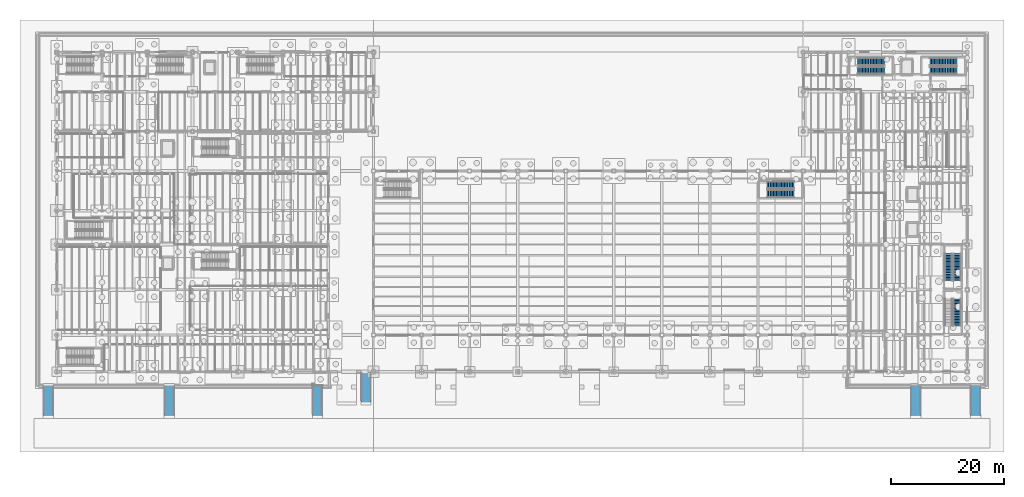
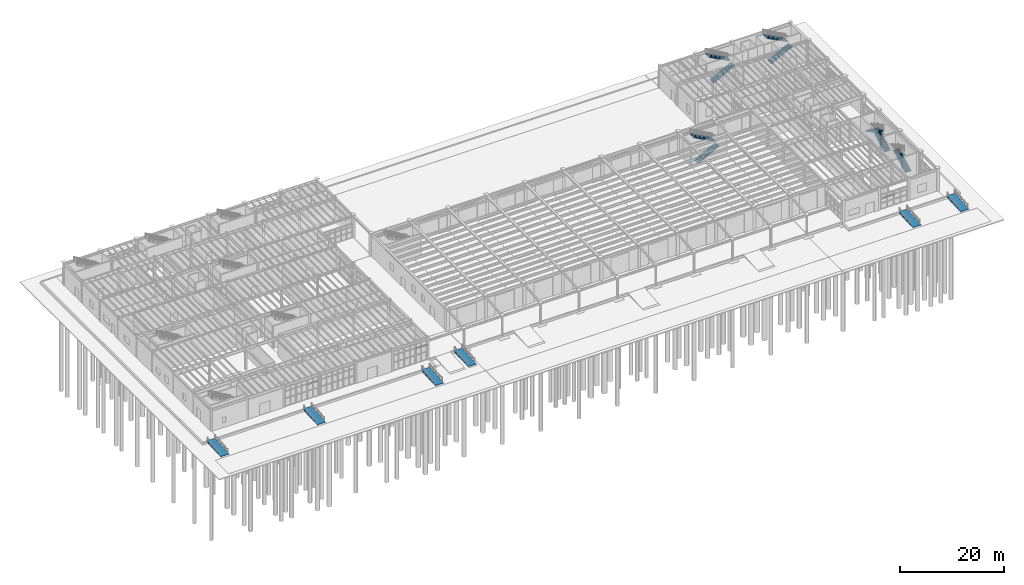
# One storey, part 73 of 86: 9 stair flights, 6 ramp flights, 11 elements without a shape of their own.
"""IFC4 building model written with IfcOpenShell, lengths in metres."""

from ifc_helpers import new_model, si_unit, direction, frame, origin, place, context, subcontext, project, spatial, polyline, outline, extrude, material, layer, layer_set, type_object, element, aggregate, save


model = new_model("IFC4")

# Units and contexts
model_context = context("Model", 3, precision=1e-05, world=origin(), true_north=direction((0.0, 1.0)))
body_context = subcontext(model_context, "Body", "Model", "MODEL_VIEW")
ifc_project = project(units=[si_unit("LENGTHUNIT", "METRE"), si_unit("AREAUNIT", "SQUARE_METRE"), si_unit("VOLUMEUNIT", "CUBIC_METRE"), si_unit("PLANEANGLEUNIT", "RADIAN"), si_unit("MASSUNIT", "GRAM", prefix="KILO"), si_unit("THERMODYNAMICTEMPERATUREUNIT", "KELVIN"), si_unit("POWERUNIT", "WATT")], contexts=[model_context])

# Site, building, storey
site_placement = place(None, origin())
site = spatial("IfcSite", under=ifc_project, at=site_placement, CompositionType="ELEMENT")
building_placement = place(site_placement, origin())
building = spatial("IfcBuilding", under=site, at=building_placement, Name="Zhenchuan Central Fire Station", CompositionType="ELEMENT")
storey_placement = place(building_placement, frame((0.0, 0.0, 0.449951171875)))
storey = spatial("IfcBuildingStorey", under=building, at=storey_placement, Name="L01", CompositionType="ELEMENT", Elevation=0.449951171875)

# Stair, stair flights
ifc_material = material(Name="Concrete C35/45", Category="concrete")
stair_type = type_object("IfcStairType", Name="ST-CORE-L01", PredefinedType="HALF_TURN_STAIR", material=ifc_material)
stair_1_placement = place(storey_placement, origin())
stair_1 = element("IfcStair", 1, at=stair_1_placement, inside=storey, type_object=stair_type, Name="L01 Appliance East Turnout Stair", PredefinedType="HALF_TURN_STAIR")
stair_flight_type = type_object("IfcStairFlightType", Name="SFL-CORE-L01", PredefinedType="STRAIGHT", material=ifc_material)
stair_flight_1_placement = place(storey_placement, frame((125.6201171875, 31.47509765625, 0.0), z_axis=(0.0, 0.0, 1.0), x_axis=(1.0, 0.0, 0.0)))
stair_flight_1 = element("IfcStairFlight", 2, at=stair_flight_1_placement, type_object=stair_flight_type, Name="ST-09 flight 1", NumberOfRisers=18, NumberOfTreads=17, PredefinedType="STRAIGHT", RiserHeight=0.15, TreadLength=0.28, context=body_context, shape_type="SweptSolid", body=[
    extrude(outline(polyline([(0.0, 0.0), (0.0, 0.14990234375), (0.280029296875, 0.14990234375), (0.280029296875, 0.300048828125), (0.56005859375, 0.300048828125), (0.56005859375, 0.449951171875), (0.840087890625, 0.449951171875), (0.840087890625, 0.60009765625), (1.1201171875, 0.60009765625), (1.1201171875, 0.75), (1.39990234375, 0.75), (1.39990234375, 0.89990234375), (1.679931640625, 0.89990234375), (1.679931640625, 1.050048828125), (1.9599609375, 1.050048828125), (1.9599609375, 1.199951171875), (2.239990234375, 1.199951171875), (2.239990234375, 1.35009765625), (2.52001953125, 1.35009765625), (2.52001953125, 1.5), (2.800048828125, 1.5), (2.800048828125, 1.64990234375), (3.080078125, 1.64990234375), (3.080078125, 1.800048828125), (3.360107421875, 1.800048828125), (3.360107421875, 1.949951171875), (3.639892578125, 1.949951171875), (3.639892578125, 2.10009765625), (3.919921875, 2.10009765625), (3.919921875, 2.25), (4.199951171875, 2.25), (4.199951171875, 2.39990234375), (4.47998046875, 2.39990234375), (4.47998046875, 2.550048828125), (4.760009765625, 2.550048828125), (4.760009765625, 2.699951171875), (4.760009765625, 2.36865234375), (0.338623046875, 0.0), (0.0, 0.0)])), frame((0.0, 0.675048828125, 0.0), z_axis=(0.0, -1.0, 0.0), x_axis=(1.0, 0.0, 0.0)), (0.0, 0.0, 1.0), 1.35009765625),
])
stair_flight_2_placement = place(storey_placement, frame((130.3798828125, 33.02490234375, 2.699951171875), z_axis=(0.0, 0.0, 1.0), x_axis=(-1.0, 0.0, 0.0)))
stair_flight_2 = element("IfcStairFlight", 3, at=stair_flight_2_placement, type_object=stair_flight_type, Name="ST-09 flight 2", NumberOfRisers=18, NumberOfTreads=17, PredefinedType="STRAIGHT", RiserHeight=0.15, TreadLength=0.28, context=body_context, shape_type="SweptSolid", body=[
    extrude(outline(polyline([(0.0, 0.0), (0.0, 0.14990234375), (0.280029296875, 0.14990234375), (0.280029296875, 0.300048828125), (0.56005859375, 0.300048828125), (0.56005859375, 0.449951171875), (0.840087890625, 0.449951171875), (0.840087890625, 0.60009765625), (1.1201171875, 0.60009765625), (1.1201171875, 0.75), (1.39990234375, 0.75), (1.39990234375, 0.89990234375), (1.679931640625, 0.89990234375), (1.679931640625, 1.050048828125), (1.9599609375, 1.050048828125), (1.9599609375, 1.199951171875), (2.239990234375, 1.199951171875), (2.239990234375, 1.35009765625), (2.52001953125, 1.35009765625), (2.52001953125, 1.5), (2.800048828125, 1.5), (2.800048828125, 1.64990234375), (3.080078125, 1.64990234375), (3.080078125, 1.800048828125), (3.360107421875, 1.800048828125), (3.360107421875, 1.949951171875), (3.639892578125, 1.949951171875), (3.639892578125, 2.10009765625), (3.919921875, 2.10009765625), (3.919921875, 2.25), (4.199951171875, 2.25), (4.199951171875, 2.39990234375), (4.47998046875, 2.39990234375), (4.47998046875, 2.550048828125), (4.760009765625, 2.550048828125), (4.760009765625, 2.699951171875), (4.760009765625, 2.36865234375), (0.338623046875, 0.0), (0.0, 0.0)])), frame((0.0, 0.675048828125, 0.0), z_axis=(0.0, -1.0, 0.0), x_axis=(1.0, 0.0, 0.0)), (0.0, 0.0, 1.0), 1.35009765625),
])
aggregate(stair_1, [stair_flight_1, stair_flight_2])

# Stair, stair flight
stair_2_placement = place(storey_placement, origin())
stair_2 = element("IfcStair", 4, at=stair_2_placement, inside=storey, type_object=stair_type, Name="L01 Headquarters South Exit Stair", PredefinedType="HALF_TURN_STAIR")
stair_flight_3_placement = place(storey_placement, frame((159.22509765625, 8.1201171875, 0.0), z_axis=(0.0, 0.0, 1.0), x_axis=(0.0, 1.0, 0.0)))
stair_flight_3 = element("IfcStairFlight", 5, at=stair_flight_3_placement, type_object=stair_flight_type, Name="ST-10 flight 1", NumberOfRisers=18, NumberOfTreads=17, PredefinedType="STRAIGHT", RiserHeight=0.15, TreadLength=0.28, context=body_context, shape_type="SweptSolid", body=[
    extrude(outline(polyline([(0.0, 0.0), (0.0, 0.14990234375), (0.280029296875, 0.14990234375), (0.280029296875, 0.300048828125), (0.56005859375, 0.300048828125), (0.56005859375, 0.449951171875), (0.840087890625, 0.449951171875), (0.840087890625, 0.60009765625), (1.1201171875, 0.60009765625), (1.1201171875, 0.75), (1.39990234375, 0.75), (1.39990234375, 0.89990234375), (1.679931640625, 0.89990234375), (1.679931640625, 1.050048828125), (1.9599609375, 1.050048828125), (1.9599609375, 1.199951171875), (2.239990234375, 1.199951171875), (2.239990234375, 1.35009765625), (2.52001953125, 1.35009765625), (2.52001953125, 1.5), (2.800048828125, 1.5), (2.800048828125, 1.64990234375), (3.080078125, 1.64990234375), (3.080078125, 1.800048828125), (3.360107421875, 1.800048828125), (3.360107421875, 1.949951171875), (3.639892578125, 1.949951171875), (3.639892578125, 2.10009765625), (3.919921875, 2.10009765625), (3.919921875, 2.25), (4.199951171875, 2.25), (4.199951171875, 2.39990234375), (4.47998046875, 2.39990234375), (4.47998046875, 2.550048828125), (4.760009765625, 2.550048828125), (4.760009765625, 2.699951171875), (4.760009765625, 2.36865234375), (0.338623046875, 0.0), (0.0, 0.0)])), frame((0.0, 0.675048828125, 0.0), z_axis=(0.0, -1.0, 0.0), x_axis=(1.0, 0.0, 0.0)), (0.0, 0.0, 1.0), 1.35009765625),
])
aggregate(stair_2, [stair_flight_3])

# Stair, stair flights
stair_3_placement = place(storey_placement, origin())
stair_3 = element("IfcStair", 6, at=stair_3_placement, inside=storey, type_object=stair_type, Name="L01 Headquarters North Exit Stair", PredefinedType="HALF_TURN_STAIR")
stair_flight_4_placement = place(storey_placement, frame((159.22509765625, 16.1201171875, 0.0), z_axis=(0.0, 0.0, 1.0), x_axis=(0.0, 1.0, 0.0)))
stair_flight_4 = element("IfcStairFlight", 7, at=stair_flight_4_placement, type_object=stair_flight_type, Name="ST-11 flight 1", NumberOfRisers=18, NumberOfTreads=17, PredefinedType="STRAIGHT", RiserHeight=0.15, TreadLength=0.28, context=body_context, shape_type="SweptSolid", body=[
    extrude(outline(polyline([(0.0, 0.0), (0.0, 0.14990234375), (0.280029296875, 0.14990234375), (0.280029296875, 0.300048828125), (0.56005859375, 0.300048828125), (0.56005859375, 0.449951171875), (0.840087890625, 0.449951171875), (0.840087890625, 0.60009765625), (1.1201171875, 0.60009765625), (1.1201171875, 0.75), (1.39990234375, 0.75), (1.39990234375, 0.89990234375), (1.679931640625, 0.89990234375), (1.679931640625, 1.050048828125), (1.9599609375, 1.050048828125), (1.9599609375, 1.199951171875), (2.239990234375, 1.199951171875), (2.239990234375, 1.35009765625), (2.52001953125, 1.35009765625), (2.52001953125, 1.5), (2.800048828125, 1.5), (2.800048828125, 1.64990234375), (3.080078125, 1.64990234375), (3.080078125, 1.800048828125), (3.360107421875, 1.800048828125), (3.360107421875, 1.949951171875), (3.639892578125, 1.949951171875), (3.639892578125, 2.10009765625), (3.919921875, 2.10009765625), (3.919921875, 2.25), (4.199951171875, 2.25), (4.199951171875, 2.39990234375), (4.47998046875, 2.39990234375), (4.47998046875, 2.550048828125), (4.760009765625, 2.550048828125), (4.760009765625, 2.699951171875), (4.760009765625, 2.36865234375), (0.338623046875, 0.0), (0.0, 0.0)])), frame((0.0, 0.675048828125, 0.0), z_axis=(0.0, -1.0, 0.0), x_axis=(1.0, 0.0, 0.0)), (0.0, 0.0, 1.0), 1.35009765625),
])
stair_flight_5_placement = place(storey_placement, frame((157.675048828125, 20.8798828125, 2.699951171875), z_axis=(0.0, 0.0, 1.0), x_axis=(0.0, -1.0, 0.0)))
stair_flight_5 = element("IfcStairFlight", 8, at=stair_flight_5_placement, type_object=stair_flight_type, Name="ST-11 flight 2", NumberOfRisers=18, NumberOfTreads=17, PredefinedType="STRAIGHT", RiserHeight=0.15, TreadLength=0.28, context=body_context, shape_type="SweptSolid", body=[
    extrude(outline(polyline([(0.0, 0.0), (0.0, 0.14990234375), (0.280029296875, 0.14990234375), (0.280029296875, 0.300048828125), (0.56005859375, 0.300048828125), (0.56005859375, 0.449951171875), (0.840087890625, 0.449951171875), (0.840087890625, 0.60009765625), (1.1201171875, 0.60009765625), (1.1201171875, 0.75), (1.39990234375, 0.75), (1.39990234375, 0.89990234375), (1.679931640625, 0.89990234375), (1.679931640625, 1.050048828125), (1.9599609375, 1.050048828125), (1.9599609375, 1.199951171875), (2.239990234375, 1.199951171875), (2.239990234375, 1.35009765625), (2.52001953125, 1.35009765625), (2.52001953125, 1.5), (2.800048828125, 1.5), (2.800048828125, 1.64990234375), (3.080078125, 1.64990234375), (3.080078125, 1.800048828125), (3.360107421875, 1.800048828125), (3.360107421875, 1.949951171875), (3.639892578125, 1.949951171875), (3.639892578125, 2.10009765625), (3.919921875, 2.10009765625), (3.919921875, 2.25), (4.199951171875, 2.25), (4.199951171875, 2.39990234375), (4.47998046875, 2.39990234375), (4.47998046875, 2.550048828125), (4.760009765625, 2.550048828125), (4.760009765625, 2.699951171875), (4.760009765625, 2.36865234375), (0.338623046875, 0.0), (0.0, 0.0)])), frame((0.0, 0.675048828125, 0.0), z_axis=(0.0, -1.0, 0.0), x_axis=(1.0, 0.0, 0.0)), (0.0, 0.0, 1.0), 1.35009765625),
])
aggregate(stair_3, [stair_flight_4, stair_flight_5])

stair_4_placement = place(storey_placement, origin())
stair_4 = element("IfcStair", 9, at=stair_4_placement, inside=storey, type_object=stair_type, Name="L01 Drill Tower West Exit Stair", PredefinedType="HALF_TURN_STAIR")
stair_flight_6_placement = place(storey_placement, frame((141.6201171875, 53.27490234375, 0.0), z_axis=(0.0, 0.0, 1.0), x_axis=(1.0, 0.0, 0.0)))
stair_flight_6 = element("IfcStairFlight", 10, at=stair_flight_6_placement, type_object=stair_flight_type, Name="ST-12 flight 1", NumberOfRisers=18, NumberOfTreads=17, PredefinedType="STRAIGHT", RiserHeight=0.15, TreadLength=0.28, context=body_context, shape_type="SweptSolid", body=[
    extrude(outline(polyline([(0.0, 0.0), (0.0, 0.14990234375), (0.280029296875, 0.14990234375), (0.280029296875, 0.300048828125), (0.56005859375, 0.300048828125), (0.56005859375, 0.449951171875), (0.840087890625, 0.449951171875), (0.840087890625, 0.60009765625), (1.1201171875, 0.60009765625), (1.1201171875, 0.75), (1.39990234375, 0.75), (1.39990234375, 0.89990234375), (1.679931640625, 0.89990234375), (1.679931640625, 1.050048828125), (1.9599609375, 1.050048828125), (1.9599609375, 1.199951171875), (2.239990234375, 1.199951171875), (2.239990234375, 1.35009765625), (2.52001953125, 1.35009765625), (2.52001953125, 1.5), (2.800048828125, 1.5), (2.800048828125, 1.64990234375), (3.080078125, 1.64990234375), (3.080078125, 1.800048828125), (3.360107421875, 1.800048828125), (3.360107421875, 1.949951171875), (3.639892578125, 1.949951171875), (3.639892578125, 2.10009765625), (3.919921875, 2.10009765625), (3.919921875, 2.25), (4.199951171875, 2.25), (4.199951171875, 2.39990234375), (4.47998046875, 2.39990234375), (4.47998046875, 2.550048828125), (4.760009765625, 2.550048828125), (4.760009765625, 2.699951171875), (4.760009765625, 2.36865234375), (0.338623046875, 0.0), (0.0, 0.0)])), frame((0.0, 0.675048828125, 0.0), z_axis=(0.0, -1.0, 0.0), x_axis=(1.0, 0.0, 0.0)), (0.0, 0.0, 1.0), 1.35009765625),
])
stair_flight_7_placement = place(storey_placement, frame((146.3798828125, 54.824951171875, 2.699951171875), z_axis=(0.0, 0.0, 1.0), x_axis=(-1.0, 0.0, 0.0)))
stair_flight_7 = element("IfcStairFlight", 11, at=stair_flight_7_placement, type_object=stair_flight_type, Name="ST-12 flight 2", NumberOfRisers=18, NumberOfTreads=17, PredefinedType="STRAIGHT", RiserHeight=0.15, TreadLength=0.28, context=body_context, shape_type="SweptSolid", body=[
    extrude(outline(polyline([(0.0, 0.0), (0.0, 0.14990234375), (0.280029296875, 0.14990234375), (0.280029296875, 0.300048828125), (0.56005859375, 0.300048828125), (0.56005859375, 0.449951171875), (0.840087890625, 0.449951171875), (0.840087890625, 0.60009765625), (1.1201171875, 0.60009765625), (1.1201171875, 0.75), (1.39990234375, 0.75), (1.39990234375, 0.89990234375), (1.679931640625, 0.89990234375), (1.679931640625, 1.050048828125), (1.9599609375, 1.050048828125), (1.9599609375, 1.199951171875), (2.239990234375, 1.199951171875), (2.239990234375, 1.35009765625), (2.52001953125, 1.35009765625), (2.52001953125, 1.5), (2.800048828125, 1.5), (2.800048828125, 1.64990234375), (3.080078125, 1.64990234375), (3.080078125, 1.800048828125), (3.360107421875, 1.800048828125), (3.360107421875, 1.949951171875), (3.639892578125, 1.949951171875), (3.639892578125, 2.10009765625), (3.919921875, 2.10009765625), (3.919921875, 2.25), (4.199951171875, 2.25), (4.199951171875, 2.39990234375), (4.47998046875, 2.39990234375), (4.47998046875, 2.550048828125), (4.760009765625, 2.550048828125), (4.760009765625, 2.699951171875), (4.760009765625, 2.36865234375), (0.338623046875, 0.0), (0.0, 0.0)])), frame((0.0, 0.675048828125, 0.0), z_axis=(0.0, -1.0, 0.0), x_axis=(1.0, 0.0, 0.0)), (0.0, 0.0, 1.0), 1.35009765625),
])
aggregate(stair_4, [stair_flight_6, stair_flight_7])

stair_5_placement = place(storey_placement, origin())
stair_5 = element("IfcStair", 12, at=stair_5_placement, inside=storey, type_object=stair_type, Name="L01 Drill Tower East Exit Stair", PredefinedType="HALF_TURN_STAIR")
stair_flight_8_placement = place(storey_placement, frame((154.389892578125, 53.27490234375, 0.0), z_axis=(0.0, 0.0, 1.0), x_axis=(1.0, 0.0, 0.0)))
stair_flight_8 = element("IfcStairFlight", 13, at=stair_flight_8_placement, type_object=stair_flight_type, Name="ST-13 flight 1", NumberOfRisers=18, NumberOfTreads=17, PredefinedType="STRAIGHT", RiserHeight=0.15, TreadLength=0.28, context=body_context, shape_type="SweptSolid", body=[
    extrude(outline(polyline([(0.0, 0.0), (0.0, 0.14990234375), (0.280029296875, 0.14990234375), (0.280029296875, 0.300048828125), (0.56005859375, 0.300048828125), (0.56005859375, 0.449951171875), (0.840087890625, 0.449951171875), (0.840087890625, 0.60009765625), (1.1201171875, 0.60009765625), (1.1201171875, 0.75), (1.39990234375, 0.75), (1.39990234375, 0.89990234375), (1.679931640625, 0.89990234375), (1.679931640625, 1.050048828125), (1.9599609375, 1.050048828125), (1.9599609375, 1.199951171875), (2.239990234375, 1.199951171875), (2.239990234375, 1.35009765625), (2.52001953125, 1.35009765625), (2.52001953125, 1.5), (2.800048828125, 1.5), (2.800048828125, 1.64990234375), (3.080078125, 1.64990234375), (3.080078125, 1.800048828125), (3.360107421875, 1.800048828125), (3.360107421875, 1.949951171875), (3.639892578125, 1.949951171875), (3.639892578125, 2.10009765625), (3.919921875, 2.10009765625), (3.919921875, 2.25), (4.199951171875, 2.25), (4.199951171875, 2.39990234375), (4.47998046875, 2.39990234375), (4.47998046875, 2.550048828125), (4.760009765625, 2.550048828125), (4.760009765625, 2.699951171875), (4.760009765625, 2.36865234375), (0.338623046875, 0.0), (0.0, 0.0)])), frame((0.0, 0.675048828125, 0.0), z_axis=(0.0, -1.0, 0.0), x_axis=(1.0, 0.0, 0.0)), (0.0, 0.0, 1.0), 1.35009765625),
])
stair_flight_9_placement = place(storey_placement, frame((159.14990234375, 54.824951171875, 2.699951171875), z_axis=(0.0, 0.0, 1.0), x_axis=(-1.0, 0.0, 0.0)))
stair_flight_9 = element("IfcStairFlight", 14, at=stair_flight_9_placement, type_object=stair_flight_type, Name="ST-13 flight 2", NumberOfRisers=18, NumberOfTreads=17, PredefinedType="STRAIGHT", RiserHeight=0.15, TreadLength=0.28, context=body_context, shape_type="SweptSolid", body=[
    extrude(outline(polyline([(0.0, 0.0), (0.0, 0.14990234375), (0.280029296875, 0.14990234375), (0.280029296875, 0.300048828125), (0.56005859375, 0.300048828125), (0.56005859375, 0.449951171875), (0.840087890625, 0.449951171875), (0.840087890625, 0.60009765625), (1.1201171875, 0.60009765625), (1.1201171875, 0.75), (1.39990234375, 0.75), (1.39990234375, 0.89990234375), (1.679931640625, 0.89990234375), (1.679931640625, 1.050048828125), (1.9599609375, 1.050048828125), (1.9599609375, 1.199951171875), (2.239990234375, 1.199951171875), (2.239990234375, 1.35009765625), (2.52001953125, 1.35009765625), (2.52001953125, 1.5), (2.800048828125, 1.5), (2.800048828125, 1.64990234375), (3.080078125, 1.64990234375), (3.080078125, 1.800048828125), (3.360107421875, 1.800048828125), (3.360107421875, 1.949951171875), (3.639892578125, 1.949951171875), (3.639892578125, 2.10009765625), (3.919921875, 2.10009765625), (3.919921875, 2.25), (4.199951171875, 2.25), (4.199951171875, 2.39990234375), (4.47998046875, 2.39990234375), (4.47998046875, 2.550048828125), (4.760009765625, 2.550048828125), (4.760009765625, 2.699951171875), (4.760009765625, 2.36865234375), (0.338623046875, 0.0), (0.0, 0.0)])), frame((0.0, 0.675048828125, 0.0), z_axis=(0.0, -1.0, 0.0), x_axis=(1.0, 0.0, 0.0)), (0.0, 0.0, 1.0), 1.35009765625),
])
aggregate(stair_5, [stair_flight_8, stair_flight_9])

# Ramp, ramp flight
ramp_type = type_object("IfcRampType", Name="RAMP-PED", PredefinedType="STRAIGHT_RUN_RAMP", material=ifc_material)
ramp_1_placement = place(storey_placement, origin())
ramp_1 = element("IfcRamp", 15, at=ramp_1_placement, inside=storey, type_object=ramp_type, Name="Gallery Accessible Wheelchair Ramp RP-01", PredefinedType="STRAIGHT_RUN_RAMP")
ifc_layer = layer(ifc_material, 0.199951171875, Name="Concrete C35/45", Category="concrete")
ifc_layer_set = layer_set([ifc_layer], Name="Concrete C35/45")
ramp_flight_type = type_object("IfcRampFlightType", Name="RFL-PED", PredefinedType="STRAIGHT", material=ifc_layer_set)
ramp_flight_1_placement = place(storey_placement, frame((19.0, -7.800537109375, -0.449951171875), z_axis=(0.0, -0.083019384335, 0.996547932527), x_axis=(0.0, 0.996547932527, 0.083019384335)))
ramp_flight_1 = element("IfcRampFlight", 16, at=ramp_flight_1_placement, type_object=ramp_flight_type, Name="Gallery Accessible Wheelchair Ramp RP-01 Flight 1", PredefinedType="STRAIGHT", context=body_context, shape_type="SweptSolid", body=[
    extrude(outline(polyline([(0.0, 0.0), (0.45176254217971623, 0.0), (0.9032615181199641, 0.0), (1.3550240602996801, 0.0), (1.8065230362399283, 0.0), (2.2582855784196445, 0.0), (2.7098048227642706, 0.0), (3.1615470965396084, 0.0), (3.613066340884235, 0.0), (4.064808614659573, 0.0), (4.516571156839289, 0.0), (4.968090401183915, 0.0), (5.419832674959253, 0.0), (5.419832674959253, -1.800048828125), (4.968090401183915, -1.800048828125), (4.516571156839289, -1.800048828125), (4.064808614659573, -1.800048828125), (3.613066340884235, -1.800048828125), (3.1615470965396084, -1.800048828125), (2.7098048227642706, -1.800048828125), (2.2582855784196445, -1.800048828125), (1.8065230362399283, -1.800048828125), (1.3550240602996801, -1.800048828125), (0.9032615181199641, -1.800048828125), (0.45176254217971623, -1.800048828125), (0.0, -1.800048828125), (0.0, 0.0)])), origin(), (0.0, 0.0, -1.0), 0.199951171875),
])
aggregate(ramp_1, [ramp_flight_1])

ramp_2_placement = place(storey_placement, origin())
ramp_2 = element("IfcRamp", 17, at=ramp_2_placement, inside=storey, type_object=ramp_type, Name="Boulevard Canopy Accessible Ramp RP-02", PredefinedType="STRAIGHT_RUN_RAMP")
ramp_flight_2_placement = place(storey_placement, frame((45.199951171875, -7.800537109375, -0.449951171875), z_axis=(0.0, -0.083019384335, 0.996547932527), x_axis=(0.0, 0.996547932527, 0.083019384335)))
ramp_flight_2 = element("IfcRampFlight", 18, at=ramp_flight_2_placement, type_object=ramp_flight_type, Name="Boulevard Canopy Accessible Ramp RP-02 Flight 1", PredefinedType="STRAIGHT", context=body_context, shape_type="SweptSolid", body=[
    extrude(outline(polyline([(0.0, 0.0), (0.45176254217971623, 0.0), (0.9032615181199641, 0.0), (1.3550240602996801, 0.0), (1.8065230362399283, 0.0), (2.2582855784196445, 0.0), (2.7098048227642706, 0.0), (3.1615470965396084, 0.0), (3.613066340884235, 0.0), (4.064808614659573, 0.0), (4.516571156839289, 0.0), (4.968090401183915, 0.0), (5.419832674959253, 0.0), (5.419832674959253, -1.800048828125), (4.968090401183915, -1.800048828125), (4.516571156839289, -1.800048828125), (4.064808614659573, -1.800048828125), (3.613066340884235, -1.800048828125), (3.1615470965396084, -1.800048828125), (2.7098048227642706, -1.800048828125), (2.2582855784196445, -1.800048828125), (1.8065230362399283, -1.800048828125), (1.3550240602996801, -1.800048828125), (0.9032615181199641, -1.800048828125), (0.45176254217971623, -1.800048828125), (0.0, -1.800048828125), (0.0, 0.0)])), origin(), (0.0, 0.0, -1.0), 0.199951171875),
])
aggregate(ramp_2, [ramp_flight_2])

ramp_3_placement = place(storey_placement, origin())
ramp_3 = element("IfcRamp", 19, at=ramp_3_placement, inside=storey, type_object=ramp_type, Name="Headquarters Accessible Wheelchair Ramp RP-03", PredefinedType="STRAIGHT_RUN_RAMP")
ramp_flight_3_placement = place(storey_placement, frame((151.0, -7.800537109375, -0.449951171875), z_axis=(0.0, -0.083019384335, 0.996547932527), x_axis=(0.0, 0.996547932527, 0.083019384335)))
ramp_flight_3 = element("IfcRampFlight", 20, at=ramp_flight_3_placement, type_object=ramp_flight_type, Name="Headquarters Accessible Wheelchair Ramp RP-03 Flight 1", PredefinedType="STRAIGHT", context=body_context, shape_type="SweptSolid", body=[
    extrude(outline(polyline([(0.0, 0.0), (0.45176254217971623, 0.0), (0.9032615181199641, 0.0), (1.3550240602996801, 0.0), (1.8065230362399283, 0.0), (2.2582855784196445, 0.0), (2.7098048227642706, 0.0), (3.1615470965396084, 0.0), (3.613066340884235, 0.0), (4.064808614659573, 0.0), (4.516571156839289, 0.0), (4.968090401183915, 0.0), (5.419832674959253, 0.0), (5.419832674959253, -1.800048828125), (4.968090401183915, -1.800048828125), (4.516571156839289, -1.800048828125), (4.064808614659573, -1.800048828125), (3.613066340884235, -1.800048828125), (3.1615470965396084, -1.800048828125), (2.7098048227642706, -1.800048828125), (2.2582855784196445, -1.800048828125), (1.8065230362399283, -1.800048828125), (1.3550240602996801, -1.800048828125), (0.9032615181199641, -1.800048828125), (0.45176254217971623, -1.800048828125), (0.0, -1.800048828125), (0.0, 0.0)])), origin(), (0.0, 0.0, -1.0), 0.199951171875),
])
aggregate(ramp_3, [ramp_flight_3])

ramp_4_placement = place(storey_placement, origin())
ramp_4 = element("IfcRamp", 21, at=ramp_4_placement, inside=storey, type_object=ramp_type, Name="West Promenade Accessible Ramp RP-04", PredefinedType="STRAIGHT_RUN_RAMP")
ramp_flight_4_placement = place(storey_placement, frame((-2.39990234375, -7.800537109375, -0.449951171875), z_axis=(0.0, -0.083019384335, 0.996547932527), x_axis=(0.0, 0.996547932527, 0.083019384335)))
ramp_flight_4 = element("IfcRampFlight", 22, at=ramp_flight_4_placement, type_object=ramp_flight_type, Name="West Promenade Accessible Ramp RP-04 Flight 1", PredefinedType="STRAIGHT", context=body_context, shape_type="SweptSolid", body=[
    extrude(outline(polyline([(0.0, 0.0), (0.45176254217971623, 0.0), (0.9032615181199641, 0.0), (1.3550240602996801, 0.0), (1.8065230362399283, 0.0), (2.2582855784196445, 0.0), (2.7098048227642706, 0.0), (3.1615470965396084, 0.0), (3.613066340884235, 0.0), (4.064808614659573, 0.0), (4.516571156839289, 0.0), (4.968090401183915, 0.0), (5.419832674959253, 0.0), (5.419832674959253, -1.7998046875), (4.968090401183915, -1.7998046875), (4.516571156839289, -1.7998046875), (4.064808614659573, -1.7998046875), (3.613066340884235, -1.7998046875), (3.1615470965396084, -1.7998046875), (2.7098048227642706, -1.7998046875), (2.2582855784196445, -1.7998046875), (1.8065230362399283, -1.7998046875), (1.3550240602996801, -1.7998046875), (0.9032615181199641, -1.7998046875), (0.45176254217971623, -1.7998046875), (0.0, -1.7998046875), (0.0, 0.0)])), origin(), (0.0, 0.0, -1.0), 0.199951171875),
])
aggregate(ramp_4, [ramp_flight_4])

ramp_5_placement = place(storey_placement, origin())
ramp_5 = element("IfcRamp", 23, at=ramp_5_placement, inside=storey, type_object=ramp_type, Name="East Promenade Accessible Ramp RP-05", PredefinedType="STRAIGHT_RUN_RAMP")
ramp_flight_5_placement = place(storey_placement, frame((161.60009765625, -7.800537109375, -0.449951171875), z_axis=(0.0, -0.083019384335, 0.996547932527), x_axis=(0.0, 0.996547932527, 0.083019384335)))
ramp_flight_5 = element("IfcRampFlight", 24, at=ramp_flight_5_placement, type_object=ramp_flight_type, Name="East Promenade Accessible Ramp RP-05 Flight 1", PredefinedType="STRAIGHT", context=body_context, shape_type="SweptSolid", body=[
    extrude(outline(polyline([(0.0, 0.0), (0.45176254217971623, 0.0), (0.9032615181199641, 0.0), (1.3550240602996801, 0.0), (1.8065230362399283, 0.0), (2.2582855784196445, 0.0), (2.7098048227642706, 0.0), (3.1615470965396084, 0.0), (3.613066340884235, 0.0), (4.064808614659573, 0.0), (4.516571156839289, 0.0), (4.968090401183915, 0.0), (5.419832674959253, 0.0), (5.419832674959253, -1.7998046875), (4.968090401183915, -1.7998046875), (4.516571156839289, -1.7998046875), (4.064808614659573, -1.7998046875), (3.613066340884235, -1.7998046875), (3.1615470965396084, -1.7998046875), (2.7098048227642706, -1.7998046875), (2.2582855784196445, -1.7998046875), (1.8065230362399283, -1.7998046875), (1.3550240602996801, -1.7998046875), (0.9032615181199641, -1.7998046875), (0.45176254217971623, -1.7998046875), (0.0, -1.7998046875), (0.0, 0.0)])), origin(), (0.0, 0.0, -1.0), 0.199951171875),
])
aggregate(ramp_5, [ramp_flight_5])

ramp_6_placement = place(storey_placement, origin())
ramp_6 = element("IfcRamp", 25, at=ramp_6_placement, inside=storey, type_object=ramp_type, Name="Canopy Forecourt Accessible Ramp RP-06", PredefinedType="STRAIGHT_RUN_RAMP")
ramp_flight_6_placement = place(storey_placement, frame((53.800048828125, -5.400390625, -0.449951171875), z_axis=(0.0, -0.083023111266, 0.996547622041), x_axis=(0.0, 0.996547622041, 0.083023111266)))
ramp_flight_6 = element("IfcRampFlight", 26, at=ramp_flight_6_placement, type_object=ramp_flight_type, Name="Canopy Forecourt Accessible Ramp RP-06 Flight 1", PredefinedType="STRAIGHT", context=body_context, shape_type="SweptSolid", body=[
    extrude(outline(polyline([(0.0, 0.0), (0.45151924476480904, 0.0), (0.9032615179746316, 0.0), (1.3547807627394406, 0.0), (1.8065230359492632, 0.0), (2.258042280714072, 0.0), (2.7098048232381684, 0.0), (3.161303798688704, 0.0), (3.6130663412128, 0.0), (4.0645653166633355, 0.0), (4.516327859187432, 0.0), (4.967847103952241, 0.0), (5.419589377162064, 0.0), (5.419589377162064, -1.800048828125), (4.967847103952241, -1.800048828125), (4.516327859187432, -1.800048828125), (4.0645653166633355, -1.800048828125), (3.6130663412128, -1.800048828125), (3.161303798688704, -1.800048828125), (2.7098048232381684, -1.800048828125), (2.258042280714072, -1.800048828125), (1.8065230359492632, -1.800048828125), (1.3547807627394406, -1.800048828125), (0.9032615179746316, -1.800048828125), (0.45151924476480904, -1.800048828125), (0.0, -1.800048828125), (0.0, 0.0)])), origin(), (0.0, 0.0, -1.0), 0.199951171875),
])
aggregate(ramp_6, [ramp_flight_6])

save(model, "model.ifc")
